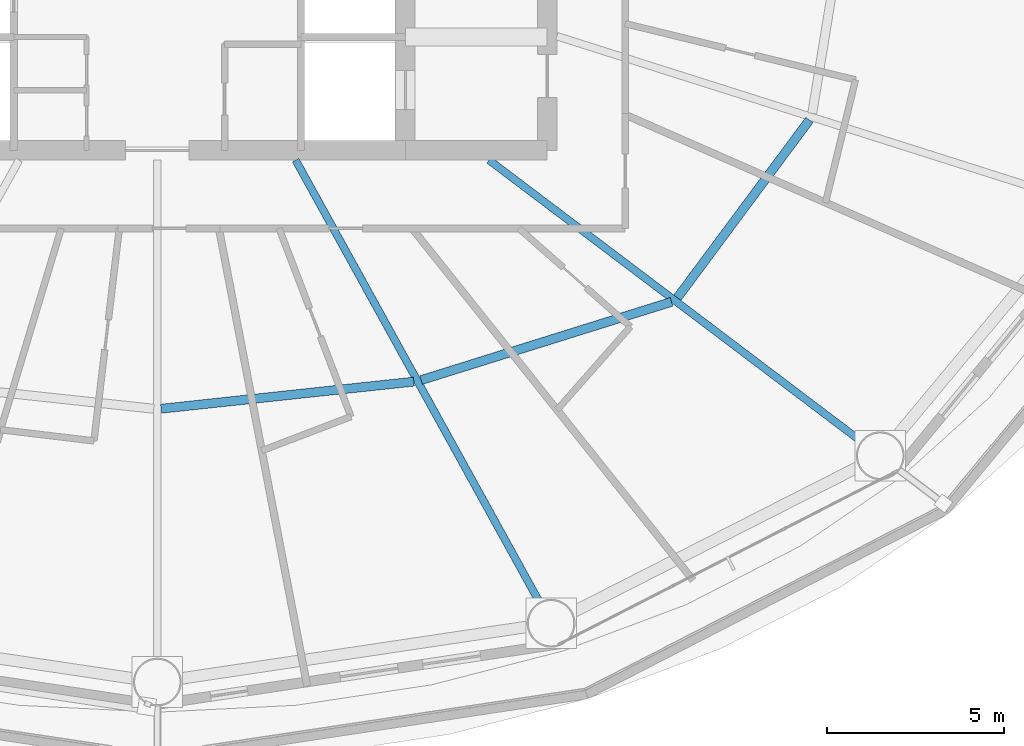
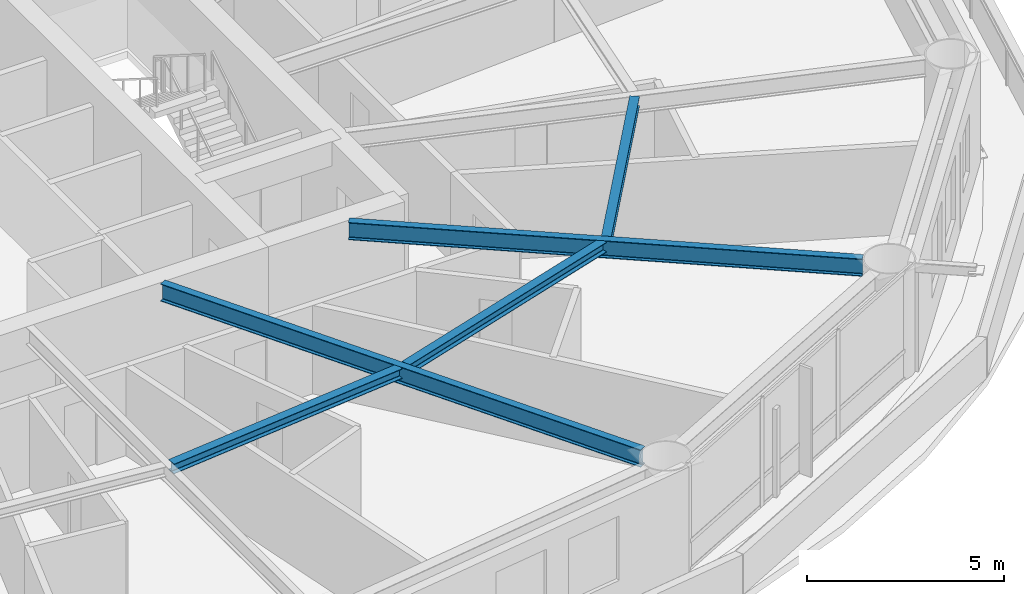
# One storey, part 5 of 25: 5 beams.
"""IFC4 building model written with IfcOpenShell, lengths in metres."""

import ifcopenshell
import ifcopenshell.guid

model = None  # the IFC model being written
_history = None  # IfcOwnerHistory: only IFC2X3 demands one
_inside = {}  # id of a spatial element -> (the spatial element, [elements in it])
_under = {}  # id of a project, library or spatial element -> (it, [spatial elements below it])
_declared = {}  # id of a project -> (the project, [libraries it declares])
_typed = {}  # id of a type object -> (the type object, [elements of that type])
_made_of = {}  # id of a material, layer set ... -> (it, [elements and type objects made of it])


def new_model(schema):
    """Start an empty IFC model of exactly this schema.

    Asked for "IFC4X3", IfcOpenShell would pick the latest addendum, in which some entities
    have other attributes; the version numbers below select the first issue.
    IFC2X3 requires an IfcOwnerHistory on every rooted entity: one is made here for all.
    """
    global model, _history
    if schema == "IFC4X3":
        model = ifcopenshell.file(schema_version=(4, 3, 0, 0))
    else:
        model = ifcopenshell.file(schema=schema)
    _inside.clear()
    _under.clear()
    _declared.clear()
    _typed.clear()
    _made_of.clear()
    _history = None
    if model.schema == "IFC2X3":
        org = make("IfcOrganization", Name="unknown")
        user = make(
            "IfcPersonAndOrganization",
            ThePerson=make("IfcPerson", FamilyName="unknown"),
            TheOrganization=org,
        )
        app = make(
            "IfcApplication",
            ApplicationDeveloper=org,
            Version="unknown",
            ApplicationFullName="unknown",
            ApplicationIdentifier="unknown",
        )
        _history = make(
            "IfcOwnerHistory",
            OwningUser=user,
            OwningApplication=app,
            ChangeAction="ADDED",
            CreationDate=0,
        )
    return model


def make(cls, **values):
    """One entity of the class cls with the attributes given. An attribute that is None is left unset."""
    return model.create_entity(
        cls, **{name: value for name, value in values.items() if value is not None}
    )


def rooted(cls, **values):
    """An entity with a GlobalId (a new one), such as an element, a storey or a relation."""
    return make(cls, GlobalId=ifcopenshell.guid.new(), OwnerHistory=_history, **values)


def si_unit(unit_type, name, prefix=None):
    """IfcSIUnit, for example si_unit("LENGTHUNIT", "METRE", prefix="MILLI")."""
    return make("IfcSIUnit", UnitType=unit_type, Prefix=prefix, Name=name)


def assignment(units):
    """IfcUnitAssignment: the units of a project."""
    return None if units is None else make("IfcUnitAssignment", Units=units)


def point(xyz):
    """IfcCartesianPoint."""
    return None if xyz is None else make("IfcCartesianPoint", Coordinates=xyz)


def direction(xyz):
    """IfcDirection."""
    return None if xyz is None else make("IfcDirection", DirectionRatios=xyz)


def frame(location, z_axis=None, x_axis=None):
    """IfcAxis2Placement3D, a coordinate frame: its origin and axes. An axis left out is left unset."""
    return make(
        "IfcAxis2Placement3D",
        Location=point(location),
        Axis=direction(z_axis),
        RefDirection=direction(x_axis),
    )


def frame_2d(location, x_axis=None):
    """IfcAxis2Placement2D, a coordinate frame in the plane: its origin and x axis."""
    return make(
        "IfcAxis2Placement2D", Location=point(location), RefDirection=direction(x_axis)
    )


def origin():
    """The frame at (0, 0, 0) with its axes left unset."""
    return frame((0.0, 0.0, 0.0))


def origin_2d():
    """The frame at (0, 0) in the plane with its x axis left unset."""
    return frame_2d((0.0, 0.0))


def place(relative_to, where):
    """IfcLocalPlacement: puts the frame where relative to a parent placement (None: the world)."""
    return make(
        "IfcLocalPlacement", PlacementRelTo=relative_to, RelativePlacement=where
    )


def context(
    kind, dimensions, precision=None, world=None, true_north=None, identifier=None
):
    """IfcGeometricRepresentationContext, for example the 3D "Model" context."""
    return make(
        "IfcGeometricRepresentationContext",
        ContextIdentifier=identifier,
        ContextType=kind,
        CoordinateSpaceDimension=dimensions,
        Precision=precision,
        WorldCoordinateSystem=world,
        TrueNorth=true_north,
    )


def subcontext(parent, identifier, kind, view, scale=None):
    """IfcGeometricRepresentationSubContext, for example "Body" below "Model"."""
    return make(
        "IfcGeometricRepresentationSubContext",
        ContextIdentifier=identifier,
        ContextType=kind,
        ParentContext=parent,
        TargetScale=scale,
        TargetView=view,
    )


def project(units=None, contexts=None):
    """IfcProject with its units and contexts."""
    return rooted(
        "IfcProject",
        Name="project",
        RepresentationContexts=contexts,
        UnitsInContext=assignment(units),
    )


def spatial(cls, under=None, at=None, **own):
    """A site, building, storey or space (cls), placed at a placement, below another one or the project."""
    s = rooted(cls, ObjectPlacement=at, **own)
    if under is not None:
        _under.setdefault(under.id(), (under, []))[1].append(s)
    return s


def profile(cls, at=None, kind="AREA", **sizes):
    """A parametric profile (cls). Its sizes go by their IFC names, for example OverallWidth=200.0."""
    return make(cls, ProfileType=kind, Position=at, **sizes)


def i_section(**sizes):
    """IfcIShapeProfileDef."""
    return profile("IfcIShapeProfileDef", **sizes)


def extrude(swept, where, along, depth):
    """IfcExtrudedAreaSolid: the profile swept, set in the frame where, extruded along a direction by depth."""
    return make(
        "IfcExtrudedAreaSolid",
        SweptArea=swept,
        Position=where,
        ExtrudedDirection=direction(along),
        Depth=depth,
    )


def shape(context_of_items, identifier, shape_type, items):
    """IfcShapeRepresentation: the items that make up one representation, for example the "Body"."""
    return make(
        "IfcShapeRepresentation",
        ContextOfItems=context_of_items,
        RepresentationIdentifier=identifier,
        RepresentationType=shape_type,
        Items=items,
    )


def material(Name=None, Category=None):
    """IfcMaterial."""
    return make("IfcMaterial", Name=Name, Category=Category)


def material_profile(
    of_material, cross_section, Name=None, Category=None, Priority=None
):
    """IfcMaterialProfile: a cross section and its material."""
    return make(
        "IfcMaterialProfile",
        Name=Name,
        Material=of_material,
        Profile=cross_section,
        Priority=Priority,
        Category=Category,
    )


def profile_set(profiles, Name=None, composite=None):
    """IfcMaterialProfileSet."""
    return make(
        "IfcMaterialProfileSet",
        Name=Name,
        MaterialProfiles=profiles,
        CompositeProfile=composite,
    )


def made_of(thing, what):
    """Note that an element or type object is made of a material, layer set ...; save() writes the relation."""
    if what is not None:
        _made_of.setdefault(what.id(), (what, []))[1].append(thing)
    return thing


def type_object(cls, material=None, **own):
    """A type object (cls), such as IfcWallType, which elements share."""
    return made_of(rooted(cls, **own), material)


def element(
    cls,
    number,
    at=None,
    inside=None,
    cuts=None,
    type_object=None,
    material=None,
    context=None,
    identifier="Body",
    shape_type=None,
    held_by="IfcProductDefinitionShape",
    body=None,
    shapes=None,
    **own,
):
    """One element of the class cls, such as IfcWall. Its Tag is "e" and its number.

    at: its placement. inside: the storey or other place that contains it. cuts: it is an
    opening in that element (IfcRelVoidsElement). A single representation is given by context,
    identifier, shape_type and body (its items); several are given by shapes. held_by: the class
    of the entity that holds the representations. save() writes the other relations.
    """
    e = rooted(cls, Tag="e%d" % number, ObjectPlacement=at, **own)
    if body is not None:
        shapes = [shape(context, identifier, shape_type, body)]
    if shapes is not None:
        e.Representation = make(held_by, Representations=shapes)
    if inside is not None:
        _inside.setdefault(inside.id(), (inside, []))[1].append(e)
    if cuts is not None:
        rooted(
            "IfcRelVoidsElement", RelatingBuildingElement=cuts, RelatedOpeningElement=e
        )
    if type_object is not None:
        _typed.setdefault(type_object.id(), (type_object, []))[1].append(e)
    return made_of(e, material)


def aggregate(whole, parts):
    """IfcRelAggregates: a whole, such as a stair, and the parts it consists of."""
    return rooted("IfcRelAggregates", RelatingObject=whole, RelatedObjects=parts)


def save(model, path):
    """Write the relations noted so far, then the file.

    IfcRelAggregates (storeys below a building ...), IfcRelContainedInSpatialStructure (elements
    in a storey), IfcRelDefinesByType, IfcRelAssociatesMaterial and IfcRelDeclares: one each for
    every whole, place, type object, material and project.
    """
    for whole, parts in _under.values():
        aggregate(whole, parts)
    for where, things in _inside.values():
        rooted(
            "IfcRelContainedInSpatialStructure",
            RelatedElements=things,
            RelatingStructure=where,
        )
    for kind, things in _typed.values():
        rooted("IfcRelDefinesByType", RelatedObjects=things, RelatingType=kind)
    for what, things in _made_of.values():
        rooted("IfcRelAssociatesMaterial", RelatedObjects=things, RelatingMaterial=what)
    for by, libraries in _declared.values():
        rooted("IfcRelDeclares", RelatingContext=by, RelatedDefinitions=libraries)
    model.write(path)


model = new_model("IFC4")

# Units and contexts
model_context = context("Model", 3, precision=1e-05, world=origin(), true_north=direction((0.0, 1.0)))
body_context = subcontext(model_context, "Body", "Model", "MODEL_VIEW")
ifc_project = project(units=[si_unit("LENGTHUNIT", "METRE"), si_unit("AREAUNIT", "SQUARE_METRE"), si_unit("VOLUMEUNIT", "CUBIC_METRE"), si_unit("PLANEANGLEUNIT", "RADIAN"), si_unit("MASSUNIT", "GRAM", prefix="KILO")], contexts=[model_context])

# Site, building, storey
site_placement = place(None, origin())
site = spatial("IfcSite", under=ifc_project, at=site_placement, CompositionType="ELEMENT")
building_placement = place(site_placement, origin())
building = spatial("IfcBuilding", under=site, at=building_placement, Name="Sarneth Arch Tower", CompositionType="ELEMENT")
storey_placement = place(building_placement, frame((0.0, 0.0, 84.0)))
storey = spatial("IfcBuildingStorey", under=building, at=storey_placement, Name="L20", CompositionType="ELEMENT", Elevation=84.0)

# Beams
ifc_material_1 = material(Name="Steel S355", Category="steel")
ifc_material_profile_1 = material_profile(ifc_material_1, i_section(OverallWidth=0.25390625, OverallDepth=0.305908203125, WebThickness=0.0087890625, FlangeThickness=0.0146484375, FilletRadius=0.014892578125, at=origin_2d()), Name="W310x79")
ifc_profile_set_1 = profile_set([ifc_material_profile_1], Name="Steel S355")
beam_type_1 = type_object("IfcBeamType", Name="BM-JOIST-310A", PredefinedType="JOIST", material=ifc_profile_set_1)
beam_1_placement = place(storey_placement, frame((48.10498046875, 27.9111328125, 3.22705078125), z_axis=(0.99429330851, 0.106680910441, 0.0), x_axis=(-0.106680910441, 0.99429330851, 0.0)))
element("IfcBeam", 1, at=beam_1_placement, inside=storey, type_object=beam_type_1, Name="L20 Secondary floor joist 13", PredefinedType="JOIST", context=body_context, shape_type="SweptSolid", body=[
    extrude(i_section(OverallWidth=0.25390625, OverallDepth=0.305908203125, WebThickness=0.0087890625, FlangeThickness=0.0146484375, FilletRadius=0.014892578125, at=origin_2d()), origin(), (0.0, 0.0, 1.0), 7.174560546875),
])
beam_2_placement = place(storey_placement, frame((55.4443359375, 28.71923828125, 3.22705078125), z_axis=(0.9544870201, 0.298252457594, 0.0), x_axis=(-0.298252457594, 0.9544870201, 0.0)))
element("IfcBeam", 2, at=beam_2_placement, inside=storey, type_object=beam_type_1, Name="L20 Secondary floor joist 14", PredefinedType="JOIST", context=body_context, shape_type="SweptSolid", body=[
    extrude(i_section(OverallWidth=0.25390625, OverallDepth=0.305908203125, WebThickness=0.0087890625, FlangeThickness=0.0146484375, FilletRadius=0.014892578125, at=origin_2d()), origin(), (0.0, 0.0, 1.0), 7.40234375),
])
beam_3_placement = place(storey_placement, frame((62.67333984375, 31.043212890625, 3.22705078125), z_axis=(0.596354224217, 0.80272139579, 0.0), x_axis=(-0.80272139579, 0.596354224217, 0.0)))
element("IfcBeam", 3, at=beam_3_placement, inside=storey, type_object=beam_type_1, Name="L20 Secondary floor joist 15", PredefinedType="JOIST", context=body_context, shape_type="SweptSolid", body=[
    extrude(i_section(OverallWidth=0.25390625, OverallDepth=0.305908203125, WebThickness=0.0087890625, FlangeThickness=0.0146484375, FilletRadius=0.014892578125, at=origin_2d()), origin(), (0.0, 0.0, 1.0), 6.246337890625),
])
ifc_material_2 = material(Name="Steel S355", Category="steel")
ifc_material_profile_2 = material_profile(ifc_material_2, i_section(OverallWidth=0.2109375, OverallDepth=0.5390625, WebThickness=0.01171875, FlangeThickness=0.018798828125, FilletRadius=0.01806640625, at=origin_2d()), Name="W530x109")
ifc_profile_set_2 = profile_set([ifc_material_profile_2], Name="Steel S355")
beam_type_2 = type_object("IfcBeamType", Name="BM-RAD-530B", PredefinedType="BEAM", material=ifc_profile_set_2)
beam_4_placement = place(storey_placement, frame((51.90283203125, 34.925048828125, 3.110595703125), z_axis=(0.48301301286, -0.875613173387, 0.0), x_axis=(0.875613173387, 0.48301301286, 0.0)))
element("IfcBeam", 4, at=beam_4_placement, inside=storey, type_object=beam_type_2, Name="L20 Radial floor girder 14", PredefinedType="BEAM", context=body_context, shape_type="SweptSolid", body=[
    extrude(i_section(OverallWidth=0.2109375, OverallDepth=0.5390625, WebThickness=0.01171875, FlangeThickness=0.018798828125, FilletRadius=0.01806640625, at=origin_2d()), origin(), (0.0, 0.0, 1.0), 14.246826171875),
])
beam_5_placement = place(storey_placement, frame((57.36181640625, 34.925048828125, 3.110595703125), z_axis=(0.797801476102, -0.602920230818, 0.0), x_axis=(0.602920230818, 0.797801476102, 0.0)))
element("IfcBeam", 5, at=beam_5_placement, inside=storey, type_object=beam_type_2, Name="L20 Radial floor girder 15", PredefinedType="BEAM", context=body_context, shape_type="SweptSolid", body=[
    extrude(i_section(OverallWidth=0.2109375, OverallDepth=0.5390625, WebThickness=0.01171875, FlangeThickness=0.018798828125, FilletRadius=0.01806640625, at=origin_2d()), origin(), (0.0, 0.0, 1.0), 13.15771484375),
])

save(model, "model.ifc")
